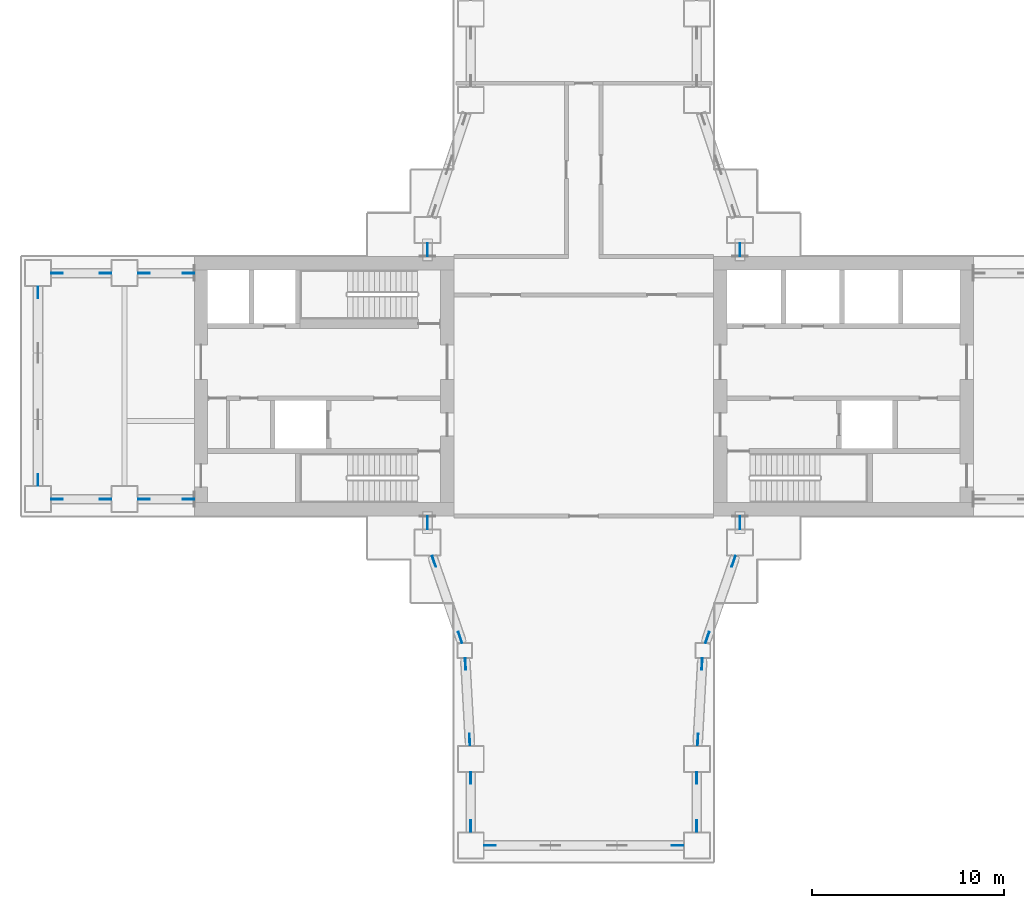
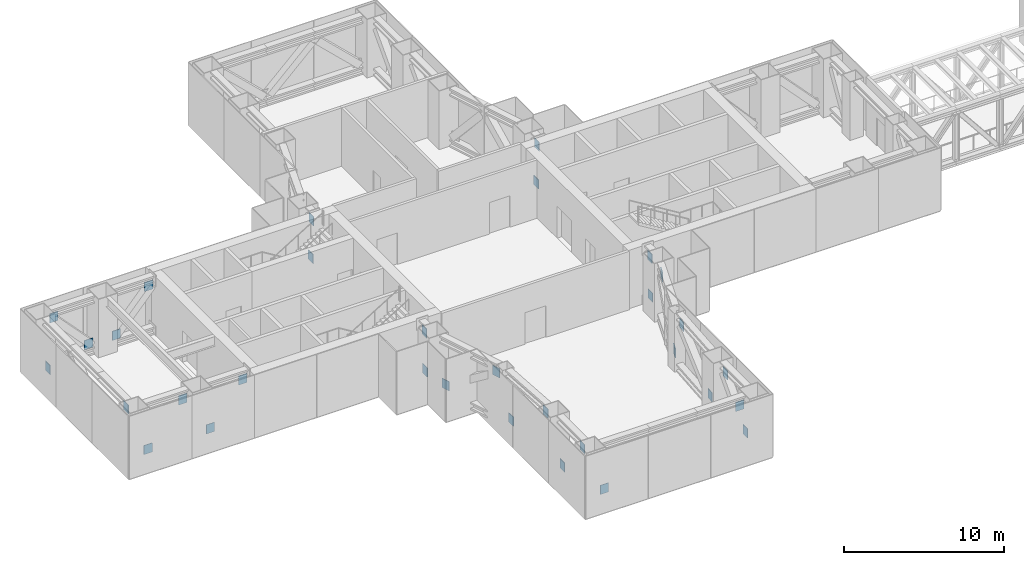
# One storey, part 18 of 23: 32 discrete accessories.
"""IFC4 building model written with IfcOpenShell, lengths in metres."""

from ifc_helpers import new_model, si_unit, direction, frame, origin, origin_2d, place, context, subcontext, project, spatial, rectangle, extrude, material, layer, layer_set, type_object, element, save


model = new_model("IFC4")

# Units and contexts
model_context = context("Model", 3, precision=1e-05, world=origin(), true_north=direction((0.0, 1.0)))
body_context = subcontext(model_context, "Body", "Model", "MODEL_VIEW")
ifc_project = project(units=[si_unit("LENGTHUNIT", "METRE"), si_unit("AREAUNIT", "SQUARE_METRE"), si_unit("VOLUMEUNIT", "CUBIC_METRE"), si_unit("PLANEANGLEUNIT", "RADIAN"), si_unit("MASSUNIT", "GRAM", prefix="KILO")], contexts=[model_context])

# Site, building, storey
site_placement = place(None, origin())
site = spatial("IfcSite", under=ifc_project, at=site_placement, CompositionType="ELEMENT")
building_placement = place(site_placement, origin())
building = spatial("IfcBuilding", under=site, at=building_placement, Name="Shamsa Quay Exchange Towers", CompositionType="ELEMENT")
storey_placement = place(building_placement, frame((0.0, 0.0, 77.10009765625)))
storey = spatial("IfcBuildingStorey", under=building, at=storey_placement, Name="L17", CompositionType="ELEMENT", Elevation=77.10009765625)

# Discrete accessories
ifc_material = material(Name="Steel S355", Category="steel")
ifc_layer = layer(ifc_material, 0.0400390625)
ifc_layer_set = layer_set([ifc_layer], Name="End plate 600x700x40")
discrete_accessory_type = type_object("IfcDiscreteAccessoryType", Name="End plate 600x700x40", PredefinedType="BRACKET", material=ifc_layer_set)
for number, where, name in (
    (1, (-61.125, -5.875, 0.41943359375), "End plate T1 L17"),
    (2, (-58.625, -5.875, 3.33056640625), "End plate T1 L17"),
    (3, (-56.625, -5.875, 0.41943359375), "End plate T1 L17"),
    (4, (-54.300048828125, -5.875, 3.33056640625), "End plate T1 L17"),
):
    element("IfcDiscreteAccessory", number, at=place(storey_placement, frame(where)), inside=storey, type_object=discrete_accessory_type, Name=name, PredefinedType="BRACKET", context=body_context, shape_type="SweptSolid", body=[
        extrude(rectangle(XDim=0.60009765625, YDim=0.0400390625, at=origin_2d()), origin(), (0.0, 0.0, 1.0), 0.699951171875),
    ])
for number, where, z_axis, x_axis, name in (
    (5, (-41.875, -7.125, 0.41943359375), (0.0, 0.0, 1.0), (0.0, 1.0, 0.0), "End plate T1 L17"),
    (6, (-41.875, -7.050048828125, 3.33056640625), (0.0, 0.0, 1.0), (0.0, 1.0, 0.0), "End plate T1 L17"),
    (7, (-41.5361328125, -9.108642578125, 0.41943359375), (0.0, 0.0, 1.0), (0.325666906351, -0.945484566827, 0.0), "End plate T1 L17"),
    (8, (-40.173095703125, -13.06640625, 3.33056640625), (0.0, 0.0, 1.0), (0.325666906351, -0.945484566827, 0.0), "End plate T1 L17"),
    (9, (-39.898681640625, -14.449462890625, 0.41943359375), (0.0, 0.0, 1.0), (0.055470019625, -0.998460353205, 0.0), "End plate T1 L17"),
    (10, (-39.680419921875, -18.37548828125, 3.33056640625), (0.0, 0.0, 1.0), (0.055470019625, -0.998460353205, 0.0), "End plate T1 L17"),
    (11, (-39.625, -20.375, 0.41943359375), (0.0, 0.0, 1.0), (0.0, -1.0, 0.0), "End plate T1 L17"),
    (12, (-39.625, -22.875, 3.33056640625), (0.0, 0.0, 1.0), (0.0, -1.0, 0.0), "End plate T1 L17"),
):
    element("IfcDiscreteAccessory", number, at=place(storey_placement, frame(where, z_axis=z_axis, x_axis=x_axis)), inside=storey, type_object=discrete_accessory_type, Name=name, PredefinedType="BRACKET", context=body_context, shape_type="SweptSolid", body=[
        extrude(rectangle(XDim=0.60009765625, YDim=0.0400390625, at=origin_2d()), origin(), (0.0, 0.0, 1.0), 0.699951171875),
    ])
for number, where, name in (
    (13, (-38.625, -23.875, 0.41943359375), "End plate T1 L17"),
    (14, (-28.875, -23.875, 3.33056640625), "End plate T1 L17"),
):
    element("IfcDiscreteAccessory", number, at=place(storey_placement, frame(where)), inside=storey, type_object=discrete_accessory_type, Name=name, PredefinedType="BRACKET", context=body_context, shape_type="SweptSolid", body=[
        extrude(rectangle(XDim=0.60009765625, YDim=0.0400390625, at=origin_2d()), origin(), (0.0, 0.0, 1.0), 0.699951171875),
    ])
for number, where, z_axis, x_axis, name in (
    (15, (-27.875, -22.875, 0.41943359375), (0.0, 0.0, 1.0), (0.0, 1.0, 0.0), "End plate T1 L17"),
    (16, (-27.875, -20.375, 3.33056640625), (0.0, 0.0, 1.0), (0.0, 1.0, 0.0), "End plate T1 L17"),
    (17, (-27.819580078125, -18.37548828125, 0.41943359375), (0.0, 0.0, 1.0), (0.055470019625, 0.998460353205, 0.0), "End plate T1 L17"),
    (18, (-27.601318359375, -14.449462890625, 3.33056640625), (0.0, 0.0, 1.0), (0.055470019625, 0.998460353205, 0.0), "End plate T1 L17"),
    (19, (-27.326904296875, -13.06640625, 0.41943359375), (0.0, 0.0, 1.0), (0.325666906351, 0.945484566827, 0.0), "End plate T1 L17"),
    (20, (-25.9638671875, -9.108642578125, 3.33056640625), (0.0, 0.0, 1.0), (0.325666906351, 0.945484566827, 0.0), "End plate T1 L17"),
    (21, (-25.625, -7.125, 0.41943359375), (0.0, 0.0, 1.0), (0.0, 1.0, 0.0), "End plate T1 L17"),
    (22, (-25.625, -7.050048828125, 3.33056640625), (0.0, 0.0, 1.0), (0.0, 1.0, 0.0), "End plate T1 L17"),
    (23, (-25.625, 7.125, 0.41943359375), (0.0, 0.0, 1.0), (0.0, -1.0, 0.0), "End plate T1 L17"),
    (24, (-25.625, 7.050048828125, 3.33056640625), (0.0, 0.0, 1.0), (0.0, -1.0, 0.0), "End plate T1 L17"),
    (25, (-41.875, 7.125, 0.41943359375), (0.0, 0.0, 1.0), (0.0, -1.0, 0.0), "End plate T1 L17"),
    (26, (-41.875, 7.050048828125, 3.33056640625), (0.0, 0.0, 1.0), (0.0, -1.0, 0.0), "End plate T1 L17"),
):
    element("IfcDiscreteAccessory", number, at=place(storey_placement, frame(where, z_axis=z_axis, x_axis=x_axis)), inside=storey, type_object=discrete_accessory_type, Name=name, PredefinedType="BRACKET", context=body_context, shape_type="SweptSolid", body=[
        extrude(rectangle(XDim=0.60009765625, YDim=0.0400390625, at=origin_2d()), origin(), (0.0, 0.0, 1.0), 0.699951171875),
    ])
for number, where, name in (
    (27, (-56.625, 5.875, 0.41943359375), "End plate T1 L17"),
    (28, (-54.300048828125, 5.875, 3.33056640625), "End plate T1 L17"),
):
    element("IfcDiscreteAccessory", number, at=place(storey_placement, frame(where)), inside=storey, type_object=discrete_accessory_type, Name=name, PredefinedType="BRACKET", context=body_context, shape_type="SweptSolid", body=[
        extrude(rectangle(XDim=0.60009765625, YDim=0.0400390625, at=origin_2d()), origin(), (0.0, 0.0, 1.0), 0.699951171875),
    ])
for number, where, z_axis, x_axis, name in (
    (29, (-58.625, 5.875, 0.41943359375), (0.0, 0.0, 1.0), (-1.0, 0.0, 0.0), "End plate T1 L17"),
    (30, (-61.125, 5.875, 3.33056640625), (0.0, 0.0, 1.0), (-1.0, 0.0, 0.0), "End plate T1 L17"),
    (31, (-62.125, 4.875, 0.41943359375), (0.0, 0.0, 1.0), (0.0, -1.0, 0.0), "End plate T1 L17"),
    (32, (-62.125, -4.875, 3.33056640625), (0.0, 0.0, 1.0), (0.0, -1.0, 0.0), "End plate T1 L17"),
):
    element("IfcDiscreteAccessory", number, at=place(storey_placement, frame(where, z_axis=z_axis, x_axis=x_axis)), inside=storey, type_object=discrete_accessory_type, Name=name, PredefinedType="BRACKET", context=body_context, shape_type="SweptSolid", body=[
        extrude(rectangle(XDim=0.60009765625, YDim=0.0400390625, at=origin_2d()), origin(), (0.0, 0.0, 1.0), 0.699951171875),
    ])

save(model, "model.ifc")
